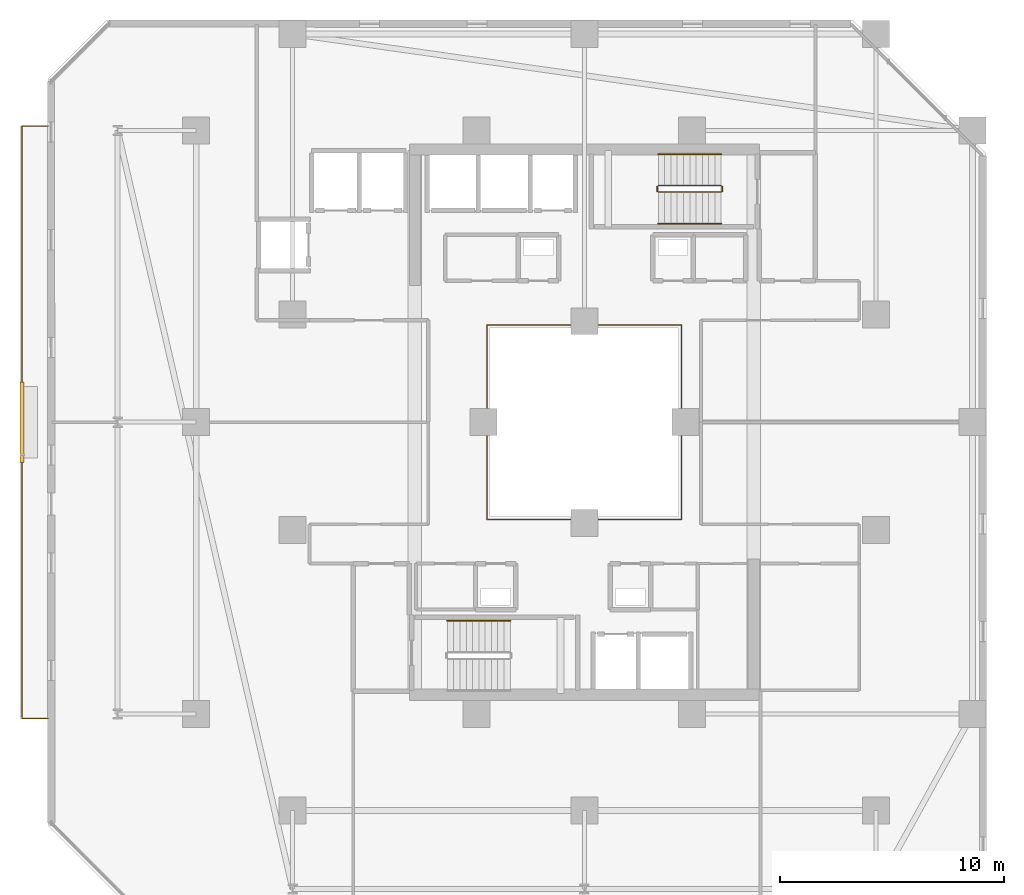
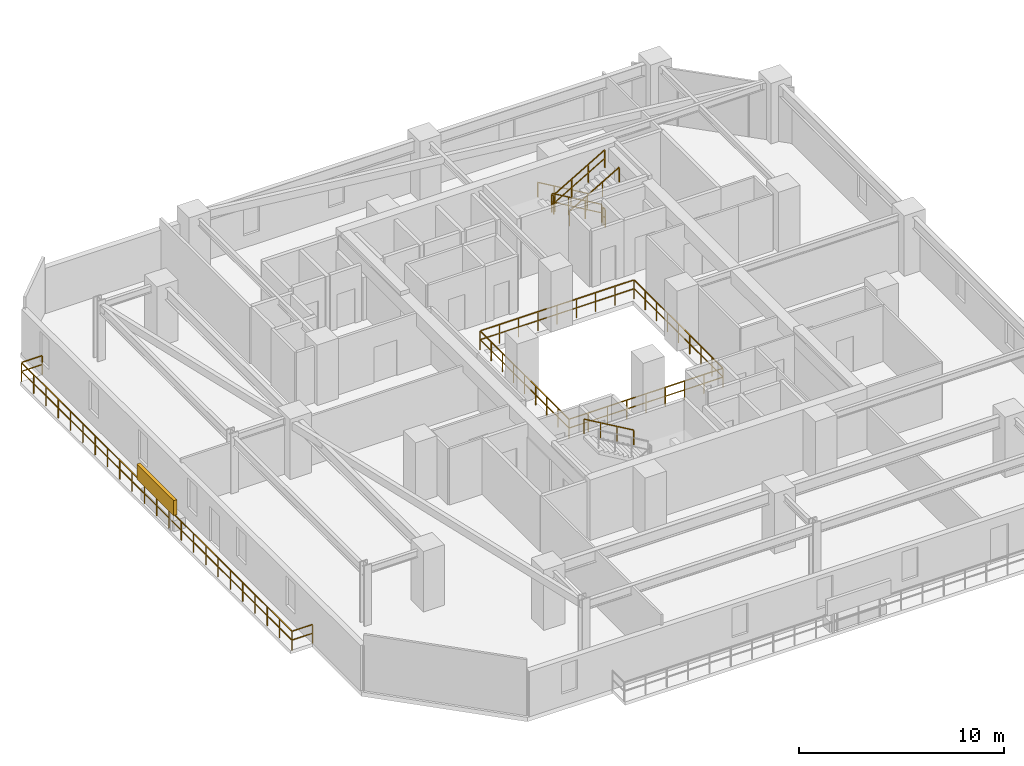
# One storey, part 29 of 32: 9 railings, 1 shading device.
"""IFC4 building model written with IfcOpenShell, lengths in metres."""

from ifc_helpers import new_model, si_unit, direction, frame, origin, origin_2d, place, context, subcontext, project, spatial, rectangle, extrude, material, type_object, element, save


model = new_model("IFC4")

# Units and contexts
model_context = context("Model", 3, precision=1e-05, world=origin(), true_north=direction((0.0, 1.0)))
body_context = subcontext(model_context, "Body", "Model", "MODEL_VIEW")
ifc_project = project(units=[si_unit("LENGTHUNIT", "METRE"), si_unit("AREAUNIT", "SQUARE_METRE"), si_unit("VOLUMEUNIT", "CUBIC_METRE"), si_unit("PLANEANGLEUNIT", "RADIAN"), si_unit("MASSUNIT", "GRAM", prefix="KILO")], contexts=[model_context])

# Site, building, storey
site_placement = place(None, origin())
site = spatial("IfcSite", under=ifc_project, at=site_placement, CompositionType="ELEMENT")
building_placement = place(site_placement, origin())
building = spatial("IfcBuilding", under=site, at=building_placement, Name="Thornwick Lancets Civic Towers", CompositionType="ELEMENT")
storey_placement = place(building_placement, frame((0.0, 0.0, 123.300048828125)))
storey = spatial("IfcBuildingStorey", under=building, at=storey_placement, Name="L32", CompositionType="ELEMENT", Elevation=123.300048828125)

# Railings
ifc_material_1 = material(Name="Laminated glass and bronze steel S355", Category="steel")
railing_type_1 = type_object("IfcRailingType", Name="RAIL_ATRIUM_GUARD", PredefinedType="BALUSTRADE", material=ifc_material_1)
railing_1_placement = place(storey_placement, frame((21.159912109375, 22.659912109375, 0.0)))
element("IfcRailing", 1, at=railing_1_placement, inside=storey, type_object=railing_type_1, Name="L32 Tower A Central Atrium Guard Balustrade", PredefinedType="BALUSTRADE", context=body_context, shape_type="SweptSolid", body=[
    extrude(rectangle(XDim=0.048095703125, YDim=0.048095703125, at=origin_2d()), frame((0.0, 0.0, 1.1259765625), z_axis=(1.0, 0.0, 0.0), x_axis=(0.0, 1.0, 0.0)), (0.0, 0.0, 1.0), 8.64892578125),
    extrude(rectangle(XDim=0.0419921875, YDim=0.0419921875, at=origin_2d()), frame((0.03759765625, 0.0, 0.597900390625), z_axis=(1.0, 0.0, 0.0), x_axis=(0.0, 1.0, 0.0)), (0.0, 0.0, 1.0), 1.010009765625),
    extrude(rectangle(XDim=0.0419921875, YDim=0.0419921875, at=origin_2d()), frame((1.12255859375, 0.0, 0.597900390625), z_axis=(1.0, 0.0, 0.0), x_axis=(0.0, 1.0, 0.0)), (0.0, 0.0, 1.0), 1.010009765625),
    extrude(rectangle(XDim=0.0419921875, YDim=0.0419921875, at=origin_2d()), frame((2.20751953125, 0.0, 0.597900390625), z_axis=(1.0, 0.0, 0.0), x_axis=(0.0, 1.0, 0.0)), (0.0, 0.0, 1.0), 1.010009765625),
    extrude(rectangle(XDim=0.0419921875, YDim=0.0419921875, at=origin_2d()), frame((3.29248046875, 0.0, 0.597900390625), z_axis=(1.0, 0.0, 0.0), x_axis=(0.0, 1.0, 0.0)), (0.0, 0.0, 1.0), 1.010009765625),
    extrude(rectangle(XDim=0.0419921875, YDim=0.0419921875, at=origin_2d()), frame((4.377685546875, 0.0, 0.597900390625), z_axis=(1.0, 0.0, 0.0), x_axis=(0.0, 1.0, 0.0)), (0.0, 0.0, 1.0), 1.010009765625),
    extrude(rectangle(XDim=0.0419921875, YDim=0.0419921875, at=origin_2d()), frame((5.462646484375, 0.0, 0.597900390625), z_axis=(1.0, 0.0, 0.0), x_axis=(0.0, 1.0, 0.0)), (0.0, 0.0, 1.0), 1.010009765625),
    extrude(rectangle(XDim=0.0419921875, YDim=0.0419921875, at=origin_2d()), frame((6.547607421875, 0.0, 0.597900390625), z_axis=(1.0, 0.0, 0.0), x_axis=(0.0, 1.0, 0.0)), (0.0, 0.0, 1.0), 1.010009765625),
    extrude(rectangle(XDim=0.0419921875, YDim=0.0419921875, at=origin_2d()), frame((7.632568359375, 0.0, 0.597900390625), z_axis=(1.0, 0.0, 0.0), x_axis=(0.0, 1.0, 0.0)), (0.0, 0.0, 1.0), 1.010009765625),
    extrude(rectangle(XDim=0.048095703125, YDim=0.048095703125, at=origin_2d()), frame((8.68017578125, 0.03125, 1.1259765625), z_axis=(0.0, 1.0, 0.0), x_axis=(-1.0, 0.0, 0.0)), (0.0, 0.0, 1.0), 8.61767578125),
    extrude(rectangle(XDim=0.0419921875, YDim=0.0419921875, at=origin_2d()), frame((8.68017578125, 0.03759765625, 0.597900390625), z_axis=(0.0, 1.0, 0.0), x_axis=(-1.0, 0.0, 0.0)), (0.0, 0.0, 1.0), 1.010009765625),
    extrude(rectangle(XDim=0.0419921875, YDim=0.0419921875, at=origin_2d()), frame((8.68017578125, 1.12255859375, 0.597900390625), z_axis=(0.0, 1.0, 0.0), x_axis=(-1.0, 0.0, 0.0)), (0.0, 0.0, 1.0), 1.010009765625),
    extrude(rectangle(XDim=0.0419921875, YDim=0.0419921875, at=origin_2d()), frame((8.68017578125, 2.20751953125, 0.597900390625), z_axis=(0.0, 1.0, 0.0), x_axis=(-1.0, 0.0, 0.0)), (0.0, 0.0, 1.0), 1.010009765625),
    extrude(rectangle(XDim=0.0419921875, YDim=0.0419921875, at=origin_2d()), frame((8.68017578125, 3.29248046875, 0.597900390625), z_axis=(0.0, 1.0, 0.0), x_axis=(-1.0, 0.0, 0.0)), (0.0, 0.0, 1.0), 1.010009765625),
    extrude(rectangle(XDim=0.0419921875, YDim=0.0419921875, at=origin_2d()), frame((8.68017578125, 4.377685546875, 0.597900390625), z_axis=(0.0, 1.0, 0.0), x_axis=(-1.0, 0.0, 0.0)), (0.0, 0.0, 1.0), 1.010009765625),
    extrude(rectangle(XDim=0.0419921875, YDim=0.0419921875, at=origin_2d()), frame((8.68017578125, 5.462646484375, 0.597900390625), z_axis=(0.0, 1.0, 0.0), x_axis=(-1.0, 0.0, 0.0)), (0.0, 0.0, 1.0), 1.010009765625),
    extrude(rectangle(XDim=0.0419921875, YDim=0.0419921875, at=origin_2d()), frame((8.68017578125, 6.547607421875, 0.597900390625), z_axis=(0.0, 1.0, 0.0), x_axis=(-1.0, 0.0, 0.0)), (0.0, 0.0, 1.0), 1.010009765625),
    extrude(rectangle(XDim=0.0419921875, YDim=0.0419921875, at=origin_2d()), frame((8.68017578125, 7.632568359375, 0.597900390625), z_axis=(0.0, 1.0, 0.0), x_axis=(-1.0, 0.0, 0.0)), (0.0, 0.0, 1.0), 1.010009765625),
    extrude(rectangle(XDim=0.048095703125, YDim=0.048095703125, at=origin_2d()), frame((8.64892578125, 8.68017578125, 1.1259765625), z_axis=(-1.0, 0.0, 0.0), x_axis=(0.0, -1.0, 0.0)), (0.0, 0.0, 1.0), 8.61767578125),
    extrude(rectangle(XDim=0.0419921875, YDim=0.0419921875, at=origin_2d()), frame((8.642578125, 8.68017578125, 0.597900390625), z_axis=(-1.0, 0.0, 0.0), x_axis=(0.0, -1.0, 0.0)), (0.0, 0.0, 1.0), 1.010009765625),
    extrude(rectangle(XDim=0.0419921875, YDim=0.0419921875, at=origin_2d()), frame((7.5576171875, 8.68017578125, 0.597900390625), z_axis=(-1.0, 0.0, 0.0), x_axis=(0.0, -1.0, 0.0)), (0.0, 0.0, 1.0), 1.010009765625),
    extrude(rectangle(XDim=0.0419921875, YDim=0.0419921875, at=origin_2d()), frame((6.47265625, 8.68017578125, 0.597900390625), z_axis=(-1.0, 0.0, 0.0), x_axis=(0.0, -1.0, 0.0)), (0.0, 0.0, 1.0), 1.010009765625),
    extrude(rectangle(XDim=0.0419921875, YDim=0.0419921875, at=origin_2d()), frame((5.3876953125, 8.68017578125, 0.597900390625), z_axis=(-1.0, 0.0, 0.0), x_axis=(0.0, -1.0, 0.0)), (0.0, 0.0, 1.0), 1.010009765625),
    extrude(rectangle(XDim=0.0419921875, YDim=0.0419921875, at=origin_2d()), frame((4.302490234375, 8.68017578125, 0.597900390625), z_axis=(-1.0, 0.0, 0.0), x_axis=(0.0, -1.0, 0.0)), (0.0, 0.0, 1.0), 1.010009765625),
    extrude(rectangle(XDim=0.0419921875, YDim=0.0419921875, at=origin_2d()), frame((3.217529296875, 8.68017578125, 0.597900390625), z_axis=(-1.0, 0.0, 0.0), x_axis=(0.0, -1.0, 0.0)), (0.0, 0.0, 1.0), 1.010009765625),
    extrude(rectangle(XDim=0.0419921875, YDim=0.0419921875, at=origin_2d()), frame((2.132568359375, 8.68017578125, 0.597900390625), z_axis=(-1.0, 0.0, 0.0), x_axis=(0.0, -1.0, 0.0)), (0.0, 0.0, 1.0), 1.010009765625),
    extrude(rectangle(XDim=0.0419921875, YDim=0.0419921875, at=origin_2d()), frame((1.047607421875, 8.68017578125, 0.597900390625), z_axis=(-1.0, 0.0, 0.0), x_axis=(0.0, -1.0, 0.0)), (0.0, 0.0, 1.0), 1.010009765625),
    extrude(rectangle(XDim=0.048095703125, YDim=0.048095703125, at=origin_2d()), frame((0.0, 8.64892578125, 1.1259765625), z_axis=(0.0, -1.0, 0.0), x_axis=(1.0, 0.0, 0.0)), (0.0, 0.0, 1.0), 8.64892578125),
    extrude(rectangle(XDim=0.0419921875, YDim=0.0419921875, at=origin_2d()), frame((0.0, 8.642578125, 0.597900390625), z_axis=(0.0, -1.0, 0.0), x_axis=(1.0, 0.0, 0.0)), (0.0, 0.0, 1.0), 1.010009765625),
    extrude(rectangle(XDim=0.0419921875, YDim=0.0419921875, at=origin_2d()), frame((0.0, 7.5576171875, 0.597900390625), z_axis=(0.0, -1.0, 0.0), x_axis=(1.0, 0.0, 0.0)), (0.0, 0.0, 1.0), 1.010009765625),
    extrude(rectangle(XDim=0.0419921875, YDim=0.0419921875, at=origin_2d()), frame((0.0, 6.47265625, 0.597900390625), z_axis=(0.0, -1.0, 0.0), x_axis=(1.0, 0.0, 0.0)), (0.0, 0.0, 1.0), 1.010009765625),
    extrude(rectangle(XDim=0.0419921875, YDim=0.0419921875, at=origin_2d()), frame((0.0, 5.3876953125, 0.597900390625), z_axis=(0.0, -1.0, 0.0), x_axis=(1.0, 0.0, 0.0)), (0.0, 0.0, 1.0), 1.010009765625),
    extrude(rectangle(XDim=0.0419921875, YDim=0.0419921875, at=origin_2d()), frame((0.0, 4.302490234375, 0.597900390625), z_axis=(0.0, -1.0, 0.0), x_axis=(1.0, 0.0, 0.0)), (0.0, 0.0, 1.0), 1.010009765625),
    extrude(rectangle(XDim=0.0419921875, YDim=0.0419921875, at=origin_2d()), frame((0.0, 3.217529296875, 0.597900390625), z_axis=(0.0, -1.0, 0.0), x_axis=(1.0, 0.0, 0.0)), (0.0, 0.0, 1.0), 1.010009765625),
    extrude(rectangle(XDim=0.0419921875, YDim=0.0419921875, at=origin_2d()), frame((0.0, 2.132568359375, 0.597900390625), z_axis=(0.0, -1.0, 0.0), x_axis=(1.0, 0.0, 0.0)), (0.0, 0.0, 1.0), 1.010009765625),
    extrude(rectangle(XDim=0.0419921875, YDim=0.0419921875, at=origin_2d()), frame((0.0, 1.047607421875, 0.597900390625), z_axis=(0.0, -1.0, 0.0), x_axis=(1.0, 0.0, 0.0)), (0.0, 0.0, 1.0), 1.010009765625),
    extrude(rectangle(XDim=0.0419921875, YDim=0.0419921875, at=origin_2d()), origin(), (0.0, 0.0, 1.0), 1.095703125),
    extrude(rectangle(XDim=0.0419921875, YDim=0.0419921875, at=origin_2d()), frame((1.0849609375, 0.0, 0.0)), (0.0, 0.0, 1.0), 1.095703125),
    extrude(rectangle(XDim=0.0419921875, YDim=0.0419921875, at=origin_2d()), frame((2.169921875, 0.0, 0.0)), (0.0, 0.0, 1.0), 1.095703125),
    extrude(rectangle(XDim=0.0419921875, YDim=0.0419921875, at=origin_2d()), frame((3.255126953125, 0.0, 0.0)), (0.0, 0.0, 1.0), 1.095703125),
    extrude(rectangle(XDim=0.0419921875, YDim=0.0419921875, at=origin_2d()), frame((4.340087890625, 0.0, 0.0)), (0.0, 0.0, 1.0), 1.095703125),
    extrude(rectangle(XDim=0.0419921875, YDim=0.0419921875, at=origin_2d()), frame((5.425048828125, 0.0, 0.0)), (0.0, 0.0, 1.0), 1.095703125),
    extrude(rectangle(XDim=0.0419921875, YDim=0.0419921875, at=origin_2d()), frame((6.51025390625, 0.0, 0.0)), (0.0, 0.0, 1.0), 1.095703125),
    extrude(rectangle(XDim=0.0419921875, YDim=0.0419921875, at=origin_2d()), frame((7.59521484375, 0.0, 0.0)), (0.0, 0.0, 1.0), 1.095703125),
    extrude(rectangle(XDim=0.0419921875, YDim=0.0419921875, at=origin_2d()), frame((8.68017578125, 0.0, 0.0)), (0.0, 0.0, 1.0), 1.095703125),
    extrude(rectangle(XDim=0.0419921875, YDim=0.0419921875, at=origin_2d()), frame((8.68017578125, 1.0849609375, 0.0)), (0.0, 0.0, 1.0), 1.095703125),
    extrude(rectangle(XDim=0.0419921875, YDim=0.0419921875, at=origin_2d()), frame((8.68017578125, 2.169921875, 0.0)), (0.0, 0.0, 1.0), 1.095703125),
    extrude(rectangle(XDim=0.0419921875, YDim=0.0419921875, at=origin_2d()), frame((8.68017578125, 3.255126953125, 0.0)), (0.0, 0.0, 1.0), 1.095703125),
    extrude(rectangle(XDim=0.0419921875, YDim=0.0419921875, at=origin_2d()), frame((8.68017578125, 4.340087890625, 0.0)), (0.0, 0.0, 1.0), 1.095703125),
    extrude(rectangle(XDim=0.0419921875, YDim=0.0419921875, at=origin_2d()), frame((8.68017578125, 5.425048828125, 0.0)), (0.0, 0.0, 1.0), 1.095703125),
    extrude(rectangle(XDim=0.0419921875, YDim=0.0419921875, at=origin_2d()), frame((8.68017578125, 6.51025390625, 0.0)), (0.0, 0.0, 1.0), 1.095703125),
    extrude(rectangle(XDim=0.0419921875, YDim=0.0419921875, at=origin_2d()), frame((8.68017578125, 7.59521484375, 0.0)), (0.0, 0.0, 1.0), 1.095703125),
    extrude(rectangle(XDim=0.0419921875, YDim=0.0419921875, at=origin_2d()), frame((8.68017578125, 8.68017578125, 0.0)), (0.0, 0.0, 1.0), 1.095703125),
    extrude(rectangle(XDim=0.0419921875, YDim=0.0419921875, at=origin_2d()), frame((7.59521484375, 8.68017578125, 0.0)), (0.0, 0.0, 1.0), 1.095703125),
    extrude(rectangle(XDim=0.0419921875, YDim=0.0419921875, at=origin_2d()), frame((6.51025390625, 8.68017578125, 0.0)), (0.0, 0.0, 1.0), 1.095703125),
    extrude(rectangle(XDim=0.0419921875, YDim=0.0419921875, at=origin_2d()), frame((5.425048828125, 8.68017578125, 0.0)), (0.0, 0.0, 1.0), 1.095703125),
    extrude(rectangle(XDim=0.0419921875, YDim=0.0419921875, at=origin_2d()), frame((4.340087890625, 8.68017578125, 0.0)), (0.0, 0.0, 1.0), 1.095703125),
    extrude(rectangle(XDim=0.0419921875, YDim=0.0419921875, at=origin_2d()), frame((3.255126953125, 8.68017578125, 0.0)), (0.0, 0.0, 1.0), 1.095703125),
    extrude(rectangle(XDim=0.0419921875, YDim=0.0419921875, at=origin_2d()), frame((2.169921875, 8.68017578125, 0.0)), (0.0, 0.0, 1.0), 1.095703125),
    extrude(rectangle(XDim=0.0419921875, YDim=0.0419921875, at=origin_2d()), frame((1.0849609375, 8.68017578125, 0.0)), (0.0, 0.0, 1.0), 1.095703125),
    extrude(rectangle(XDim=0.0419921875, YDim=0.0419921875, at=origin_2d()), frame((0.0, 8.68017578125, 0.0)), (0.0, 0.0, 1.0), 1.095703125),
    extrude(rectangle(XDim=0.0419921875, YDim=0.0419921875, at=origin_2d()), frame((0.0, 7.59521484375, 0.0)), (0.0, 0.0, 1.0), 1.095703125),
    extrude(rectangle(XDim=0.0419921875, YDim=0.0419921875, at=origin_2d()), frame((0.0, 6.51025390625, 0.0)), (0.0, 0.0, 1.0), 1.095703125),
    extrude(rectangle(XDim=0.0419921875, YDim=0.0419921875, at=origin_2d()), frame((0.0, 5.425048828125, 0.0)), (0.0, 0.0, 1.0), 1.095703125),
    extrude(rectangle(XDim=0.0419921875, YDim=0.0419921875, at=origin_2d()), frame((0.0, 4.340087890625, 0.0)), (0.0, 0.0, 1.0), 1.095703125),
    extrude(rectangle(XDim=0.0419921875, YDim=0.0419921875, at=origin_2d()), frame((0.0, 3.255126953125, 0.0)), (0.0, 0.0, 1.0), 1.095703125),
    extrude(rectangle(XDim=0.0419921875, YDim=0.0419921875, at=origin_2d()), frame((0.0, 2.169921875, 0.0)), (0.0, 0.0, 1.0), 1.095703125),
    extrude(rectangle(XDim=0.0419921875, YDim=0.0419921875, at=origin_2d()), frame((0.0, 1.0849609375, 0.0)), (0.0, 0.0, 1.0), 1.095703125),
])
ifc_material_2 = material(Name="Brushed stainless steel S355", Category="steel")
railing_type_2 = type_object("IfcRailingType", Name="RAIL_HANDRAIL", PredefinedType="HANDRAIL", material=ifc_material_2)
railing_2_placement = place(storey_placement, frame((22.199951171875, 18.14990234375, 1.963623046875)))
element("IfcRailing", 2, at=railing_2_placement, inside=storey, type_object=railing_type_2, Name="L32 ST-A1 stair handrail 2", PredefinedType="HANDRAIL", context=body_context, shape_type="SweptSolid", body=[
    extrude(rectangle(XDim=0.048095703125, YDim=0.048095703125, at=origin_2d()), frame((0.0, 0.0, 0.8857421875), z_axis=(-0.863393664356, 0.0, 0.504530851732), x_axis=(0.0, -1.0, 0.0)), (0.0, 0.0, 1.0), 3.2431640625),
    extrude(rectangle(XDim=0.0419921875, YDim=0.0419921875, at=origin_2d()), origin(), (0.0, 0.0, 1.0), 0.855712890625),
    extrude(rectangle(XDim=0.0419921875, YDim=0.0419921875, at=origin_2d()), frame((-0.933349609375, 0.0, 0.54541015625)), (0.0, 0.0, 1.0), 0.855712890625),
    extrude(rectangle(XDim=0.0419921875, YDim=0.0419921875, at=origin_2d()), frame((-1.86669921875, 0.0, 1.0908203125)), (0.0, 0.0, 1.0), 0.855712890625),
    extrude(rectangle(XDim=0.0419921875, YDim=0.0419921875, at=origin_2d()), frame((-2.800048828125, 0.0, 1.63623046875)), (0.0, 0.0, 1.0), 0.855712890625),
])
railing_3_placement = place(storey_placement, frame((31.60009765625, 38.949951171875, 0.16357421875)))
element("IfcRailing", 3, at=railing_3_placement, inside=storey, type_object=railing_type_2, Name="L32 ST-A2 stair handrail 1", PredefinedType="HANDRAIL", context=body_context, shape_type="SweptSolid", body=[
    extrude(rectangle(XDim=0.048095703125, YDim=0.048095703125, at=origin_2d()), frame((0.0, 0.0, 0.8857421875), z_axis=(-0.863360870873, 0.0, 0.504586966384), x_axis=(0.0, -1.0, 0.0)), (0.0, 0.0, 1.0), 3.2431640625),
    extrude(rectangle(XDim=0.0419921875, YDim=0.0419921875, at=origin_2d()), origin(), (0.0, 0.0, 1.0), 0.855712890625),
    extrude(rectangle(XDim=0.0419921875, YDim=0.0419921875, at=origin_2d()), frame((-0.933349609375, 0.0, 0.54541015625)), (0.0, 0.0, 1.0), 0.855712890625),
    extrude(rectangle(XDim=0.0419921875, YDim=0.0419921875, at=origin_2d()), frame((-1.86669921875, 0.0, 1.091064453125)), (0.0, 0.0, 1.0), 0.855712890625),
    extrude(rectangle(XDim=0.0419921875, YDim=0.0419921875, at=origin_2d()), frame((-2.800048828125, 0.0, 1.636474609375)), (0.0, 0.0, 1.0), 0.855712890625),
])
railing_4_placement = place(storey_placement, frame((28.800048828125, 35.85009765625, 1.963623046875)))
element("IfcRailing", 4, at=railing_4_placement, inside=storey, type_object=railing_type_2, Name="L32 ST-A2 stair handrail 2", PredefinedType="HANDRAIL", context=body_context, shape_type="SweptSolid", body=[
    extrude(rectangle(XDim=0.048095703125, YDim=0.048095703125, at=origin_2d()), frame((0.0, 0.0, 0.8857421875), z_axis=(0.863393664356, 0.0, 0.504530851732), x_axis=(0.0, 1.0, 0.0)), (0.0, 0.0, 1.0), 3.2431640625),
    extrude(rectangle(XDim=0.0419921875, YDim=0.0419921875, at=origin_2d()), origin(), (0.0, 0.0, 1.0), 0.855712890625),
    extrude(rectangle(XDim=0.0419921875, YDim=0.0419921875, at=origin_2d()), frame((0.933349609375, 0.0, 0.54541015625)), (0.0, 0.0, 1.0), 0.855712890625),
    extrude(rectangle(XDim=0.0419921875, YDim=0.0419921875, at=origin_2d()), frame((1.86669921875, 0.0, 1.0908203125)), (0.0, 0.0, 1.0), 0.855712890625),
    extrude(rectangle(XDim=0.0419921875, YDim=0.0419921875, at=origin_2d()), frame((2.800048828125, 0.0, 1.63623046875)), (0.0, 0.0, 1.0), 0.855712890625),
])
ifc_material_3 = material(Name="Steel S355JR", Category="steel")
railing_type_3 = type_object("IfcRailingType", Name="RAIL_STAIR_GUARD", PredefinedType="GUARDRAIL", material=ifc_material_3)
railing_5_placement = place(storey_placement, frame((31.60009765625, 37.550048828125, 0.16357421875)))
element("IfcRailing", 5, at=railing_5_placement, inside=storey, type_object=railing_type_3, Name="L32 ST-A2 stair guard 1", PredefinedType="GUARDRAIL", context=body_context, shape_type="SweptSolid", body=[
    extrude(rectangle(XDim=0.048095703125, YDim=0.048095703125, at=origin_2d()), frame((0.0, 0.0, 1.076171875), z_axis=(-0.863360870873, 0.0, 0.504586966384), x_axis=(0.0, -1.0, 0.0)), (0.0, 0.0, 1.0), 3.2431640625),
    extrude(rectangle(XDim=0.0419921875, YDim=0.0419921875, at=origin_2d()), frame((-0.032470703125, 0.0, 0.591064453125), z_axis=(-0.863360870873, 0.0, 0.504586966384), x_axis=(0.0, -1.0, 0.0)), (0.0, 0.0, 1.0), 1.006103515625),
    extrude(rectangle(XDim=0.0419921875, YDim=0.0419921875, at=origin_2d()), frame((-0.9658203125, 0.0, 1.136474609375), z_axis=(-0.863360870873, 0.0, 0.504586966384), x_axis=(0.0, -1.0, 0.0)), (0.0, 0.0, 1.0), 1.006103515625),
    extrude(rectangle(XDim=0.0419921875, YDim=0.0419921875, at=origin_2d()), frame((-1.899169921875, 0.0, 1.681884765625), z_axis=(-0.863360870873, 0.0, 0.504586966384), x_axis=(0.0, -1.0, 0.0)), (0.0, 0.0, 1.0), 1.006103515625),
    extrude(rectangle(XDim=0.0419921875, YDim=0.0419921875, at=origin_2d()), origin(), (0.0, 0.0, 1.0), 1.0458984375),
    extrude(rectangle(XDim=0.0419921875, YDim=0.0419921875, at=origin_2d()), frame((-0.933349609375, 0.0, 0.54541015625)), (0.0, 0.0, 1.0), 1.0458984375),
    extrude(rectangle(XDim=0.0419921875, YDim=0.0419921875, at=origin_2d()), frame((-1.86669921875, 0.0, 1.091064453125)), (0.0, 0.0, 1.0), 1.0458984375),
    extrude(rectangle(XDim=0.0419921875, YDim=0.0419921875, at=origin_2d()), frame((-2.800048828125, 0.0, 1.636474609375)), (0.0, 0.0, 1.0), 1.0458984375),
])
railing_6_placement = place(storey_placement, frame((28.75, 37.5, 1.800048828125)))
element("IfcRailing", 6, at=railing_6_placement, inside=storey, type_object=railing_type_3, Name="L32 ST-A2 stair guard 2", PredefinedType="GUARDRAIL", context=body_context, shape_type="SweptSolid", body=[
    extrude(rectangle(XDim=0.048095703125, YDim=0.048095703125, at=origin_2d()), frame((0.0, 0.0, 1.076171875), z_axis=(0.0, -1.0, 0.0), x_axis=(1.0, 0.0, 0.0)), (0.0, 0.0, 1.0), 0.199951171875),
    extrude(rectangle(XDim=0.0419921875, YDim=0.0419921875, at=origin_2d()), frame((0.0, -0.03759765625, 0.572021484375), z_axis=(0.0, -1.0, 0.0), x_axis=(1.0, 0.0, 0.0)), (0.0, 0.0, 1.0), 0.125),
    extrude(rectangle(XDim=0.0419921875, YDim=0.0419921875, at=origin_2d()), origin(), (0.0, 0.0, 1.0), 1.0458984375),
    extrude(rectangle(XDim=0.0419921875, YDim=0.0419921875, at=origin_2d()), frame((0.0, -0.199951171875, 0.0)), (0.0, 0.0, 1.0), 1.0458984375),
])
railing_7_placement = place(storey_placement, frame((28.800048828125, 37.25, 1.963623046875)))
element("IfcRailing", 7, at=railing_7_placement, inside=storey, type_object=railing_type_3, Name="L32 ST-A2 stair guard 3", PredefinedType="GUARDRAIL", context=body_context, shape_type="SweptSolid", body=[
    extrude(rectangle(XDim=0.048095703125, YDim=0.048095703125, at=origin_2d()), frame((0.0, 0.0, 1.076171875), z_axis=(0.863393664356, 0.0, 0.504530851732), x_axis=(0.0, 1.0, 0.0)), (0.0, 0.0, 1.0), 3.2431640625),
    extrude(rectangle(XDim=0.0419921875, YDim=0.0419921875, at=origin_2d()), frame((0.032470703125, 0.0, 0.591064453125), z_axis=(0.863393664356, 0.0, 0.504530851732), x_axis=(0.0, 1.0, 0.0)), (0.0, 0.0, 1.0), 1.006103515625),
    extrude(rectangle(XDim=0.0419921875, YDim=0.0419921875, at=origin_2d()), frame((0.9658203125, 0.0, 1.136474609375), z_axis=(0.863393664356, 0.0, 0.504530851732), x_axis=(0.0, 1.0, 0.0)), (0.0, 0.0, 1.0), 1.006103515625),
    extrude(rectangle(XDim=0.0419921875, YDim=0.0419921875, at=origin_2d()), frame((1.899169921875, 0.0, 1.681884765625), z_axis=(0.863393664356, 0.0, 0.504530851732), x_axis=(0.0, 1.0, 0.0)), (0.0, 0.0, 1.0), 1.006103515625),
    extrude(rectangle(XDim=0.0419921875, YDim=0.0419921875, at=origin_2d()), origin(), (0.0, 0.0, 1.0), 1.0458984375),
    extrude(rectangle(XDim=0.0419921875, YDim=0.0419921875, at=origin_2d()), frame((0.933349609375, 0.0, 0.54541015625)), (0.0, 0.0, 1.0), 1.0458984375),
    extrude(rectangle(XDim=0.0419921875, YDim=0.0419921875, at=origin_2d()), frame((1.86669921875, 0.0, 1.0908203125)), (0.0, 0.0, 1.0), 1.0458984375),
    extrude(rectangle(XDim=0.0419921875, YDim=0.0419921875, at=origin_2d()), frame((2.800048828125, 0.0, 1.63623046875)), (0.0, 0.0, 1.0), 1.0458984375),
])
railing_8_placement = place(storey_placement, frame((31.64990234375, 37.5, 0.0)))
element("IfcRailing", 8, at=railing_8_placement, inside=storey, type_object=railing_type_3, Name="L32 ST-A2 stair guard 4", PredefinedType="GUARDRAIL", context=body_context, shape_type="SweptSolid", body=[
    extrude(rectangle(XDim=0.048095703125, YDim=0.048095703125, at=origin_2d()), frame((0.0, 0.0, 1.076171875), z_axis=(0.0, -1.0, 0.0), x_axis=(1.0, 0.0, 0.0)), (0.0, 0.0, 1.0), 0.199951171875),
    extrude(rectangle(XDim=0.0419921875, YDim=0.0419921875, at=origin_2d()), frame((0.0, -0.03759765625, 0.572021484375), z_axis=(0.0, -1.0, 0.0), x_axis=(1.0, 0.0, 0.0)), (0.0, 0.0, 1.0), 0.125),
    extrude(rectangle(XDim=0.0419921875, YDim=0.0419921875, at=origin_2d()), origin(), (0.0, 0.0, 1.0), 1.0458984375),
    extrude(rectangle(XDim=0.0419921875, YDim=0.0419921875, at=origin_2d()), frame((0.0, -0.199951171875, 0.0)), (0.0, 0.0, 1.0), 1.0458984375),
])
ifc_material_4 = material(Name="Terracotta-capped laminated glass balustrade S355", Category="masonry")
railing_type_4 = type_object("IfcRailingType", Name="RAIL_TERR_GUARD", PredefinedType="GUARDRAIL", material=ifc_material_4)
railing_9_placement = place(storey_placement, frame((1.60009765625, 13.800048828125, 0.0)))
element("IfcRailing", 9, at=railing_9_placement, inside=storey, type_object=railing_type_4, Name="L32 Tower A Balcony Guard W", PredefinedType="GUARDRAIL", context=body_context, shape_type="SweptSolid", body=[
    extrude(rectangle(XDim=0.048095703125, YDim=0.048095703125, at=origin_2d()), frame((0.0, 0.0, 1.1259765625), z_axis=(-1.0, 0.0, 0.0), x_axis=(0.0, -1.0, 0.0)), (0.0, 0.0, 1.0), 1.138916015625),
    extrude(rectangle(XDim=0.0419921875, YDim=0.0419921875, at=origin_2d()), frame((-0.03759765625, 0.0, 0.597900390625), z_axis=(-1.0, 0.0, 0.0), x_axis=(0.0, -1.0, 0.0)), (0.0, 0.0, 1.0), 1.09521484375),
    extrude(rectangle(XDim=0.048095703125, YDim=0.048095703125, at=origin_2d()), frame((-1.170166015625, 0.03125, 1.1259765625), z_axis=(0.0, 1.0, 0.0), x_axis=(-1.0, 0.0, 0.0)), (0.0, 0.0, 1.0), 26.33740234375),
    extrude(rectangle(XDim=0.0419921875, YDim=0.0419921875, at=origin_2d()), frame((-1.170166015625, 0.03759765625, 0.597900390625), z_axis=(0.0, 1.0, 0.0), x_axis=(-1.0, 0.0, 0.0)), (0.0, 0.0, 1.0), 1.125),
    extrude(rectangle(XDim=0.0419921875, YDim=0.0419921875, at=origin_2d()), frame((-1.170166015625, 1.237548828125, 0.597900390625), z_axis=(0.0, 1.0, 0.0), x_axis=(-1.0, 0.0, 0.0)), (0.0, 0.0, 1.0), 1.125),
    extrude(rectangle(XDim=0.0419921875, YDim=0.0419921875, at=origin_2d()), frame((-1.170166015625, 2.4375, 0.597900390625), z_axis=(0.0, 1.0, 0.0), x_axis=(-1.0, 0.0, 0.0)), (0.0, 0.0, 1.0), 1.125),
    extrude(rectangle(XDim=0.0419921875, YDim=0.0419921875, at=origin_2d()), frame((-1.170166015625, 3.637451171875, 0.597900390625), z_axis=(0.0, 1.0, 0.0), x_axis=(-1.0, 0.0, 0.0)), (0.0, 0.0, 1.0), 1.125),
    extrude(rectangle(XDim=0.0419921875, YDim=0.0419921875, at=origin_2d()), frame((-1.170166015625, 4.83740234375, 0.597900390625), z_axis=(0.0, 1.0, 0.0), x_axis=(-1.0, 0.0, 0.0)), (0.0, 0.0, 1.0), 1.125),
    extrude(rectangle(XDim=0.0419921875, YDim=0.0419921875, at=origin_2d()), frame((-1.170166015625, 6.037353515625, 0.597900390625), z_axis=(0.0, 1.0, 0.0), x_axis=(-1.0, 0.0, 0.0)), (0.0, 0.0, 1.0), 1.125),
    extrude(rectangle(XDim=0.0419921875, YDim=0.0419921875, at=origin_2d()), frame((-1.170166015625, 7.237548828125, 0.597900390625), z_axis=(0.0, 1.0, 0.0), x_axis=(-1.0, 0.0, 0.0)), (0.0, 0.0, 1.0), 1.125),
    extrude(rectangle(XDim=0.0419921875, YDim=0.0419921875, at=origin_2d()), frame((-1.170166015625, 8.4375, 0.597900390625), z_axis=(0.0, 1.0, 0.0), x_axis=(-1.0, 0.0, 0.0)), (0.0, 0.0, 1.0), 1.125),
    extrude(rectangle(XDim=0.0419921875, YDim=0.0419921875, at=origin_2d()), frame((-1.170166015625, 9.637451171875, 0.597900390625), z_axis=(0.0, 1.0, 0.0), x_axis=(-1.0, 0.0, 0.0)), (0.0, 0.0, 1.0), 1.125),
    extrude(rectangle(XDim=0.0419921875, YDim=0.0419921875, at=origin_2d()), frame((-1.170166015625, 10.83740234375, 0.597900390625), z_axis=(0.0, 1.0, 0.0), x_axis=(-1.0, 0.0, 0.0)), (0.0, 0.0, 1.0), 1.125),
    extrude(rectangle(XDim=0.0419921875, YDim=0.0419921875, at=origin_2d()), frame((-1.170166015625, 12.037353515625, 0.597900390625), z_axis=(0.0, 1.0, 0.0), x_axis=(-1.0, 0.0, 0.0)), (0.0, 0.0, 1.0), 1.125),
    extrude(rectangle(XDim=0.0419921875, YDim=0.0419921875, at=origin_2d()), frame((-1.170166015625, 13.237548828125, 0.597900390625), z_axis=(0.0, 1.0, 0.0), x_axis=(-1.0, 0.0, 0.0)), (0.0, 0.0, 1.0), 1.125),
    extrude(rectangle(XDim=0.0419921875, YDim=0.0419921875, at=origin_2d()), frame((-1.170166015625, 14.4375, 0.597900390625), z_axis=(0.0, 1.0, 0.0), x_axis=(-1.0, 0.0, 0.0)), (0.0, 0.0, 1.0), 1.125),
    extrude(rectangle(XDim=0.0419921875, YDim=0.0419921875, at=origin_2d()), frame((-1.170166015625, 15.637451171875, 0.597900390625), z_axis=(0.0, 1.0, 0.0), x_axis=(-1.0, 0.0, 0.0)), (0.0, 0.0, 1.0), 1.125),
    extrude(rectangle(XDim=0.0419921875, YDim=0.0419921875, at=origin_2d()), frame((-1.170166015625, 16.83740234375, 0.597900390625), z_axis=(0.0, 1.0, 0.0), x_axis=(-1.0, 0.0, 0.0)), (0.0, 0.0, 1.0), 1.125),
    extrude(rectangle(XDim=0.0419921875, YDim=0.0419921875, at=origin_2d()), frame((-1.170166015625, 18.037353515625, 0.597900390625), z_axis=(0.0, 1.0, 0.0), x_axis=(-1.0, 0.0, 0.0)), (0.0, 0.0, 1.0), 1.125),
    extrude(rectangle(XDim=0.0419921875, YDim=0.0419921875, at=origin_2d()), frame((-1.170166015625, 19.2373046875, 0.597900390625), z_axis=(0.0, 1.0, 0.0), x_axis=(-1.0, 0.0, 0.0)), (0.0, 0.0, 1.0), 1.125),
    extrude(rectangle(XDim=0.0419921875, YDim=0.0419921875, at=origin_2d()), frame((-1.170166015625, 20.4375, 0.597900390625), z_axis=(0.0, 1.0, 0.0), x_axis=(-1.0, 0.0, 0.0)), (0.0, 0.0, 1.0), 1.125),
    extrude(rectangle(XDim=0.0419921875, YDim=0.0419921875, at=origin_2d()), frame((-1.170166015625, 21.637451171875, 0.597900390625), z_axis=(0.0, 1.0, 0.0), x_axis=(-1.0, 0.0, 0.0)), (0.0, 0.0, 1.0), 1.125),
    extrude(rectangle(XDim=0.0419921875, YDim=0.0419921875, at=origin_2d()), frame((-1.170166015625, 22.83740234375, 0.597900390625), z_axis=(0.0, 1.0, 0.0), x_axis=(-1.0, 0.0, 0.0)), (0.0, 0.0, 1.0), 1.125),
    extrude(rectangle(XDim=0.0419921875, YDim=0.0419921875, at=origin_2d()), frame((-1.170166015625, 24.037353515625, 0.597900390625), z_axis=(0.0, 1.0, 0.0), x_axis=(-1.0, 0.0, 0.0)), (0.0, 0.0, 1.0), 1.125),
    extrude(rectangle(XDim=0.0419921875, YDim=0.0419921875, at=origin_2d()), frame((-1.170166015625, 25.2373046875, 0.597900390625), z_axis=(0.0, 1.0, 0.0), x_axis=(-1.0, 0.0, 0.0)), (0.0, 0.0, 1.0), 1.125),
    extrude(rectangle(XDim=0.048095703125, YDim=0.048095703125, at=origin_2d()), frame((-1.138916015625, 26.39990234375, 1.1259765625), z_axis=(1.0, 0.0, 0.0), x_axis=(0.0, 1.0, 0.0)), (0.0, 0.0, 1.0), 1.138916015625),
    extrude(rectangle(XDim=0.0419921875, YDim=0.0419921875, at=origin_2d()), frame((-1.132568359375, 26.39990234375, 0.597900390625), z_axis=(1.0, 0.0, 0.0), x_axis=(0.0, 1.0, 0.0)), (0.0, 0.0, 1.0), 1.09521484375),
    extrude(rectangle(XDim=0.0419921875, YDim=0.0419921875, at=origin_2d()), origin(), (0.0, 0.0, 1.0), 1.095703125),
    extrude(rectangle(XDim=0.0419921875, YDim=0.0419921875, at=origin_2d()), frame((-1.170166015625, 0.0, 0.0)), (0.0, 0.0, 1.0), 1.095703125),
    extrude(rectangle(XDim=0.0419921875, YDim=0.0419921875, at=origin_2d()), frame((-1.170166015625, 1.199951171875, 0.0)), (0.0, 0.0, 1.0), 1.095703125),
    extrude(rectangle(XDim=0.0419921875, YDim=0.0419921875, at=origin_2d()), frame((-1.170166015625, 2.39990234375, 0.0)), (0.0, 0.0, 1.0), 1.095703125),
    extrude(rectangle(XDim=0.0419921875, YDim=0.0419921875, at=origin_2d()), frame((-1.170166015625, 3.60009765625, 0.0)), (0.0, 0.0, 1.0), 1.095703125),
    extrude(rectangle(XDim=0.0419921875, YDim=0.0419921875, at=origin_2d()), frame((-1.170166015625, 4.800048828125, 0.0)), (0.0, 0.0, 1.0), 1.095703125),
    extrude(rectangle(XDim=0.0419921875, YDim=0.0419921875, at=origin_2d()), frame((-1.170166015625, 6.0, 0.0)), (0.0, 0.0, 1.0), 1.095703125),
    extrude(rectangle(XDim=0.0419921875, YDim=0.0419921875, at=origin_2d()), frame((-1.170166015625, 7.199951171875, 0.0)), (0.0, 0.0, 1.0), 1.095703125),
    extrude(rectangle(XDim=0.0419921875, YDim=0.0419921875, at=origin_2d()), frame((-1.170166015625, 8.39990234375, 0.0)), (0.0, 0.0, 1.0), 1.095703125),
    extrude(rectangle(XDim=0.0419921875, YDim=0.0419921875, at=origin_2d()), frame((-1.170166015625, 9.599853515625, 0.0)), (0.0, 0.0, 1.0), 1.095703125),
    extrude(rectangle(XDim=0.0419921875, YDim=0.0419921875, at=origin_2d()), frame((-1.170166015625, 10.800048828125, 0.0)), (0.0, 0.0, 1.0), 1.095703125),
    extrude(rectangle(XDim=0.0419921875, YDim=0.0419921875, at=origin_2d()), frame((-1.170166015625, 12.0, 0.0)), (0.0, 0.0, 1.0), 1.095703125),
    extrude(rectangle(XDim=0.0419921875, YDim=0.0419921875, at=origin_2d()), frame((-1.170166015625, 13.199951171875, 0.0)), (0.0, 0.0, 1.0), 1.095703125),
    extrude(rectangle(XDim=0.0419921875, YDim=0.0419921875, at=origin_2d()), frame((-1.170166015625, 14.39990234375, 0.0)), (0.0, 0.0, 1.0), 1.095703125),
    extrude(rectangle(XDim=0.0419921875, YDim=0.0419921875, at=origin_2d()), frame((-1.170166015625, 15.599853515625, 0.0)), (0.0, 0.0, 1.0), 1.095703125),
    extrude(rectangle(XDim=0.0419921875, YDim=0.0419921875, at=origin_2d()), frame((-1.170166015625, 16.800048828125, 0.0)), (0.0, 0.0, 1.0), 1.095703125),
    extrude(rectangle(XDim=0.0419921875, YDim=0.0419921875, at=origin_2d()), frame((-1.170166015625, 18.0, 0.0)), (0.0, 0.0, 1.0), 1.095703125),
    extrude(rectangle(XDim=0.0419921875, YDim=0.0419921875, at=origin_2d()), frame((-1.170166015625, 19.199951171875, 0.0)), (0.0, 0.0, 1.0), 1.095703125),
    extrude(rectangle(XDim=0.0419921875, YDim=0.0419921875, at=origin_2d()), frame((-1.170166015625, 20.39990234375, 0.0)), (0.0, 0.0, 1.0), 1.095703125),
    extrude(rectangle(XDim=0.0419921875, YDim=0.0419921875, at=origin_2d()), frame((-1.170166015625, 21.599853515625, 0.0)), (0.0, 0.0, 1.0), 1.095703125),
    extrude(rectangle(XDim=0.0419921875, YDim=0.0419921875, at=origin_2d()), frame((-1.170166015625, 22.7998046875, 0.0)), (0.0, 0.0, 1.0), 1.095703125),
    extrude(rectangle(XDim=0.0419921875, YDim=0.0419921875, at=origin_2d()), frame((-1.170166015625, 24.0, 0.0)), (0.0, 0.0, 1.0), 1.095703125),
    extrude(rectangle(XDim=0.0419921875, YDim=0.0419921875, at=origin_2d()), frame((-1.170166015625, 25.199951171875, 0.0)), (0.0, 0.0, 1.0), 1.095703125),
    extrude(rectangle(XDim=0.0419921875, YDim=0.0419921875, at=origin_2d()), frame((-1.170166015625, 26.39990234375, 0.0)), (0.0, 0.0, 1.0), 1.095703125),
    extrude(rectangle(XDim=0.0419921875, YDim=0.0419921875, at=origin_2d()), frame((0.0, 26.39990234375, 0.0)), (0.0, 0.0, 1.0), 1.095703125),
])

# Shading device
ifc_material_5 = material(Name="Extruded terracotta baguette solar screen", Category="masonry")
shading_device_type = type_object("IfcShadingDeviceType", Name="SHADE_BAGUETTE", PredefinedType="JALOUSIE", material=ifc_material_5)
shading_device_placement = place(storey_placement, frame((0.43994140625, 27.0, 1.1201171875), z_axis=(0.0, 0.0, 1.0), x_axis=(0.0, 1.0, 0.0)))
element("IfcShadingDevice", 10, at=shading_device_placement, inside=storey, type_object=shading_device_type, Name="L32 Tower A Terracotta Baguette Screen W", PredefinedType="JALOUSIE", context=body_context, shape_type="SweptSolid", body=[
    extrude(rectangle(XDim=3.60009765625, YDim=0.179931640625, at=origin_2d()), origin(), (0.0, 0.0, 1.0), 0.89990234375),
])

save(model, "model.ifc")
